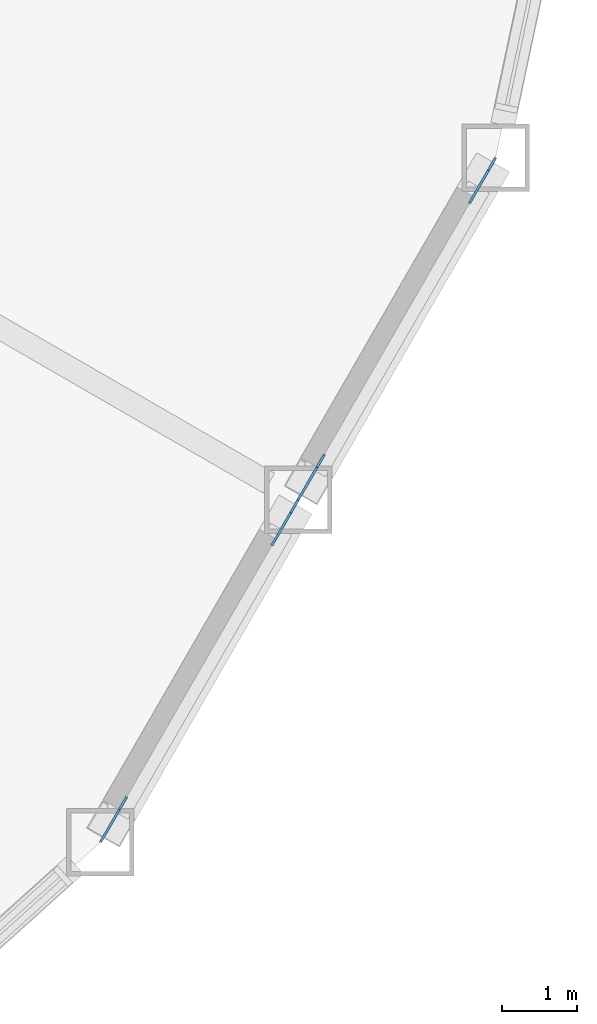
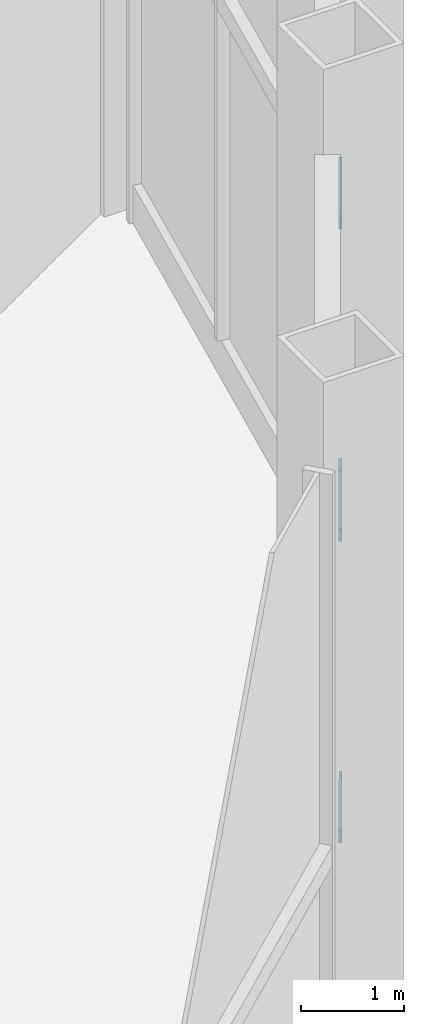
# One storey, part 13 of 18: 4 discrete accessories.
"""IFC4 building model written with IfcOpenShell, lengths in metres."""

from ifc_helpers import new_model, si_unit, direction, frame, origin, origin_2d, place, context, subcontext, project, spatial, rectangle, extrude, material, material_profile, profile_set, type_object, element, save


model = new_model("IFC4")

# Units and contexts
model_context = context("Model", 3, precision=1e-05, world=origin(), true_north=direction((0.0, 1.0)))
body_context = subcontext(model_context, "Body", "Model", "MODEL_VIEW")
ifc_project = project(units=[si_unit("LENGTHUNIT", "METRE"), si_unit("AREAUNIT", "SQUARE_METRE"), si_unit("VOLUMEUNIT", "CUBIC_METRE"), si_unit("PLANEANGLEUNIT", "RADIAN"), si_unit("MASSUNIT", "GRAM", prefix="KILO")], contexts=[model_context])

# Site, building, storey
site_placement = place(None, origin())
site = spatial("IfcSite", under=ifc_project, at=site_placement, CompositionType="ELEMENT")
building_placement = place(site_placement, origin())
building = spatial("IfcBuilding", under=site, at=building_placement, Name="Cormorant Prow Tower", CompositionType="ELEMENT")
storey_placement = place(building_placement, frame((0.0, 0.0, 154.199951171875)))
storey = spatial("IfcBuildingStorey", under=building, at=storey_placement, Name="L33", CompositionType="ELEMENT", Elevation=154.199951171875)

# Discrete accessories
ifc_material = material(Name="Structural steel ASTM A500 Gr C", Category="steel")
ifc_material_profile = material_profile(ifc_material, rectangle(XDim=0.031982421875, YDim=0.60791015625, at=origin_2d()), Name="Gusset plate 32x608")
ifc_profile_set = profile_set([ifc_material_profile], Name="Structural steel ASTM A500 Gr C")
discrete_accessory_type = type_object("IfcDiscreteAccessoryType", Name="Gusset plate 32x608", PredefinedType="BRACKET", material=ifc_profile_set)
for number, where, z_axis, x_axis, name in (
    (1, (27.910400390625, -16.631591796875, 1.2626953125), (0.280360838104, 0.484703439011, -0.82852904395), (-0.865625187776, 0.500692554656, 0.0), "Gusset plate GP1 L33.ESE00.g0"),
    (2, (25.723876953125, -20.4189453125, 7.726318359375), (-0.280266044994, -0.485236734616, 0.828248909086), (0.865936922628, -0.500153222552, 0.0), "Gusset plate GP1 L33.ESE00.g1"),
    (3, (30.545166015625, -12.068115234375, 1.2626953125), (0.280266044994, 0.485236734616, -0.828248909086), (-0.865936922628, 0.500153222552, 0.0), "Gusset plate GP1 L33.ESE01.g0"),
    (4, (28.358642578125, -15.855224609375, 7.726318359375), (-0.280266044994, -0.485236734616, 0.828248909086), (0.865936922628, -0.500153222552, 0.0), "Gusset plate GP1 L33.ESE01.g1"),
):
    element("IfcDiscreteAccessory", number, at=place(storey_placement, frame(where, z_axis=z_axis, x_axis=x_axis)), inside=storey, type_object=discrete_accessory_type, Name=name, PredefinedType="BRACKET", context=body_context, shape_type="SweptSolid", body=[
        extrude(rectangle(XDim=0.031982421875, YDim=0.60791015625, at=origin_2d()), origin(), (0.0, 0.0, 1.0), 0.35009765625),
    ])

save(model, "model.ifc")
